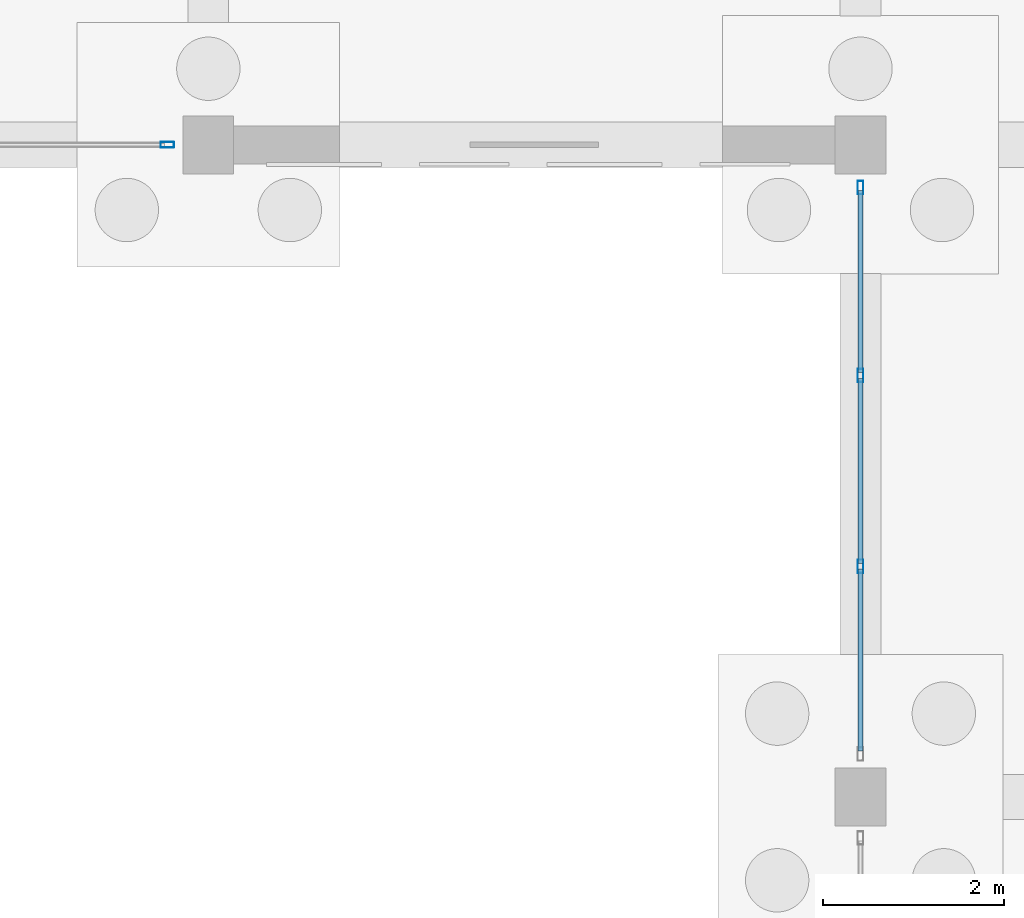
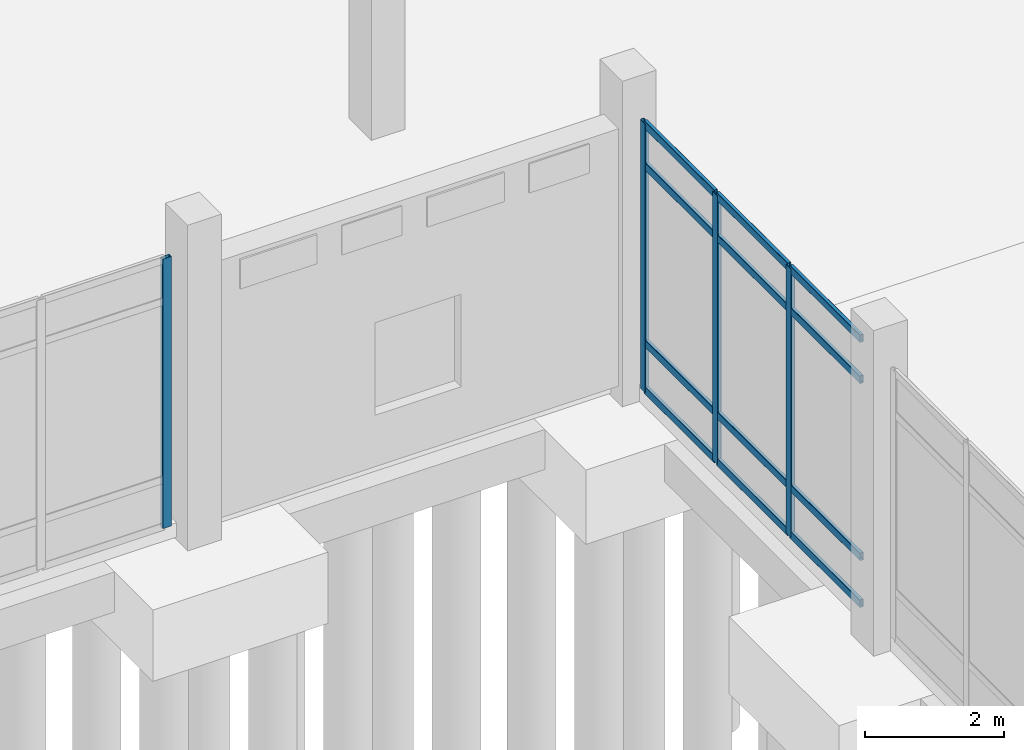
# One storey, part 66 of 109: 16 members, 2 elements without a shape of their own.
"""IFC4 building model written with IfcOpenShell, lengths in metres."""

import ifcopenshell
import ifcopenshell.guid

model = None  # the IFC model being written
_history = None  # IfcOwnerHistory: only IFC2X3 demands one
_inside = {}  # id of a spatial element -> (the spatial element, [elements in it])
_under = {}  # id of a project, library or spatial element -> (it, [spatial elements below it])
_declared = {}  # id of a project -> (the project, [libraries it declares])
_typed = {}  # id of a type object -> (the type object, [elements of that type])
_made_of = {}  # id of a material, layer set ... -> (it, [elements and type objects made of it])


def new_model(schema):
    """Start an empty IFC model of exactly this schema.

    Asked for "IFC4X3", IfcOpenShell would pick the latest addendum, in which some entities
    have other attributes; the version numbers below select the first issue.
    IFC2X3 requires an IfcOwnerHistory on every rooted entity: one is made here for all.
    """
    global model, _history
    if schema == "IFC4X3":
        model = ifcopenshell.file(schema_version=(4, 3, 0, 0))
    else:
        model = ifcopenshell.file(schema=schema)
    _inside.clear()
    _under.clear()
    _declared.clear()
    _typed.clear()
    _made_of.clear()
    _history = None
    if model.schema == "IFC2X3":
        org = make("IfcOrganization", Name="unknown")
        user = make(
            "IfcPersonAndOrganization",
            ThePerson=make("IfcPerson", FamilyName="unknown"),
            TheOrganization=org,
        )
        app = make(
            "IfcApplication",
            ApplicationDeveloper=org,
            Version="unknown",
            ApplicationFullName="unknown",
            ApplicationIdentifier="unknown",
        )
        _history = make(
            "IfcOwnerHistory",
            OwningUser=user,
            OwningApplication=app,
            ChangeAction="ADDED",
            CreationDate=0,
        )
    return model


def make(cls, **values):
    """One entity of the class cls with the attributes given. An attribute that is None is left unset."""
    return model.create_entity(
        cls, **{name: value for name, value in values.items() if value is not None}
    )


def rooted(cls, **values):
    """An entity with a GlobalId (a new one), such as an element, a storey or a relation."""
    return make(cls, GlobalId=ifcopenshell.guid.new(), OwnerHistory=_history, **values)


def si_unit(unit_type, name, prefix=None):
    """IfcSIUnit, for example si_unit("LENGTHUNIT", "METRE", prefix="MILLI")."""
    return make("IfcSIUnit", UnitType=unit_type, Prefix=prefix, Name=name)


def assignment(units):
    """IfcUnitAssignment: the units of a project."""
    return None if units is None else make("IfcUnitAssignment", Units=units)


def point(xyz):
    """IfcCartesianPoint."""
    return None if xyz is None else make("IfcCartesianPoint", Coordinates=xyz)


def direction(xyz):
    """IfcDirection."""
    return None if xyz is None else make("IfcDirection", DirectionRatios=xyz)


def frame(location, z_axis=None, x_axis=None):
    """IfcAxis2Placement3D, a coordinate frame: its origin and axes. An axis left out is left unset."""
    return make(
        "IfcAxis2Placement3D",
        Location=point(location),
        Axis=direction(z_axis),
        RefDirection=direction(x_axis),
    )


def frame_2d(location, x_axis=None):
    """IfcAxis2Placement2D, a coordinate frame in the plane: its origin and x axis."""
    return make(
        "IfcAxis2Placement2D", Location=point(location), RefDirection=direction(x_axis)
    )


def origin():
    """The frame at (0, 0, 0) with its axes left unset."""
    return frame((0.0, 0.0, 0.0))


def origin_2d():
    """The frame at (0, 0) in the plane with its x axis left unset."""
    return frame_2d((0.0, 0.0))


def place(relative_to, where):
    """IfcLocalPlacement: puts the frame where relative to a parent placement (None: the world)."""
    return make(
        "IfcLocalPlacement", PlacementRelTo=relative_to, RelativePlacement=where
    )


def context(
    kind, dimensions, precision=None, world=None, true_north=None, identifier=None
):
    """IfcGeometricRepresentationContext, for example the 3D "Model" context."""
    return make(
        "IfcGeometricRepresentationContext",
        ContextIdentifier=identifier,
        ContextType=kind,
        CoordinateSpaceDimension=dimensions,
        Precision=precision,
        WorldCoordinateSystem=world,
        TrueNorth=true_north,
    )


def subcontext(parent, identifier, kind, view, scale=None):
    """IfcGeometricRepresentationSubContext, for example "Body" below "Model"."""
    return make(
        "IfcGeometricRepresentationSubContext",
        ContextIdentifier=identifier,
        ContextType=kind,
        ParentContext=parent,
        TargetScale=scale,
        TargetView=view,
    )


def project(units=None, contexts=None):
    """IfcProject with its units and contexts."""
    return rooted(
        "IfcProject",
        Name="project",
        RepresentationContexts=contexts,
        UnitsInContext=assignment(units),
    )


def spatial(cls, under=None, at=None, **own):
    """A site, building, storey or space (cls), placed at a placement, below another one or the project."""
    s = rooted(cls, ObjectPlacement=at, **own)
    if under is not None:
        _under.setdefault(under.id(), (under, []))[1].append(s)
    return s


def profile(cls, at=None, kind="AREA", **sizes):
    """A parametric profile (cls). Its sizes go by their IFC names, for example OverallWidth=200.0."""
    return make(cls, ProfileType=kind, Position=at, **sizes)


def hollow_rectangle(**sizes):
    """IfcRectangleHollowProfileDef."""
    return profile("IfcRectangleHollowProfileDef", **sizes)


def extrude(swept, where, along, depth):
    """IfcExtrudedAreaSolid: the profile swept, set in the frame where, extruded along a direction by depth."""
    return make(
        "IfcExtrudedAreaSolid",
        SweptArea=swept,
        Position=where,
        ExtrudedDirection=direction(along),
        Depth=depth,
    )


def shape(context_of_items, identifier, shape_type, items):
    """IfcShapeRepresentation: the items that make up one representation, for example the "Body"."""
    return make(
        "IfcShapeRepresentation",
        ContextOfItems=context_of_items,
        RepresentationIdentifier=identifier,
        RepresentationType=shape_type,
        Items=items,
    )


def material(Name=None, Category=None):
    """IfcMaterial."""
    return make("IfcMaterial", Name=Name, Category=Category)


def material_profile(
    of_material, cross_section, Name=None, Category=None, Priority=None
):
    """IfcMaterialProfile: a cross section and its material."""
    return make(
        "IfcMaterialProfile",
        Name=Name,
        Material=of_material,
        Profile=cross_section,
        Priority=Priority,
        Category=Category,
    )


def profile_set(profiles, Name=None, composite=None):
    """IfcMaterialProfileSet."""
    return make(
        "IfcMaterialProfileSet",
        Name=Name,
        MaterialProfiles=profiles,
        CompositeProfile=composite,
    )


def made_of(thing, what):
    """Note that an element or type object is made of a material, layer set ...; save() writes the relation."""
    if what is not None:
        _made_of.setdefault(what.id(), (what, []))[1].append(thing)
    return thing


def type_object(cls, material=None, **own):
    """A type object (cls), such as IfcWallType, which elements share."""
    return made_of(rooted(cls, **own), material)


def element(
    cls,
    number,
    at=None,
    inside=None,
    cuts=None,
    type_object=None,
    material=None,
    context=None,
    identifier="Body",
    shape_type=None,
    held_by="IfcProductDefinitionShape",
    body=None,
    shapes=None,
    **own,
):
    """One element of the class cls, such as IfcWall. Its Tag is "e" and its number.

    at: its placement. inside: the storey or other place that contains it. cuts: it is an
    opening in that element (IfcRelVoidsElement). A single representation is given by context,
    identifier, shape_type and body (its items); several are given by shapes. held_by: the class
    of the entity that holds the representations. save() writes the other relations.
    """
    e = rooted(cls, Tag="e%d" % number, ObjectPlacement=at, **own)
    if body is not None:
        shapes = [shape(context, identifier, shape_type, body)]
    if shapes is not None:
        e.Representation = make(held_by, Representations=shapes)
    if inside is not None:
        _inside.setdefault(inside.id(), (inside, []))[1].append(e)
    if cuts is not None:
        rooted(
            "IfcRelVoidsElement", RelatingBuildingElement=cuts, RelatedOpeningElement=e
        )
    if type_object is not None:
        _typed.setdefault(type_object.id(), (type_object, []))[1].append(e)
    return made_of(e, material)


def aggregate(whole, parts):
    """IfcRelAggregates: a whole, such as a stair, and the parts it consists of."""
    return rooted("IfcRelAggregates", RelatingObject=whole, RelatedObjects=parts)


def save(model, path):
    """Write the relations noted so far, then the file.

    IfcRelAggregates (storeys below a building ...), IfcRelContainedInSpatialStructure (elements
    in a storey), IfcRelDefinesByType, IfcRelAssociatesMaterial and IfcRelDeclares: one each for
    every whole, place, type object, material and project.
    """
    for whole, parts in _under.values():
        aggregate(whole, parts)
    for where, things in _inside.values():
        rooted(
            "IfcRelContainedInSpatialStructure",
            RelatedElements=things,
            RelatingStructure=where,
        )
    for kind, things in _typed.values():
        rooted("IfcRelDefinesByType", RelatedObjects=things, RelatingType=kind)
    for what, things in _made_of.values():
        rooted("IfcRelAssociatesMaterial", RelatedObjects=things, RelatingMaterial=what)
    for by, libraries in _declared.values():
        rooted("IfcRelDeclares", RelatingContext=by, RelatedDefinitions=libraries)
    model.write(path)


model = new_model("IFC4")

# Units and contexts
model_context = context("Model", 3, precision=1e-05, world=origin(), true_north=direction((0.0, 1.0)))
body_context = subcontext(model_context, "Body", "Model", "MODEL_VIEW")
ifc_project = project(units=[si_unit("LENGTHUNIT", "METRE"), si_unit("AREAUNIT", "SQUARE_METRE"), si_unit("VOLUMEUNIT", "CUBIC_METRE"), si_unit("PLANEANGLEUNIT", "RADIAN"), si_unit("MASSUNIT", "GRAM", prefix="KILO")], contexts=[model_context])

# Site, building, storey
site_placement = place(None, origin())
site = spatial("IfcSite", under=ifc_project, at=site_placement, CompositionType="ELEMENT")
building_placement = place(site_placement, origin())
building = spatial("IfcBuilding", under=site, at=building_placement, Name="Lusvemor Sports Hall", CompositionType="ELEMENT")
storey_placement = place(building_placement, origin())
storey = spatial("IfcBuildingStorey", under=building, at=storey_placement, Name="L00", CompositionType="ELEMENT", Elevation=0.0)

# Curtain wall, member
ifc_material_1 = material(Name="Thermally broken bronze-anodized aluminium", Category="aluminium")
curtain_wall_type_1 = type_object("IfcCurtainWallType", Name="CW_WING_B", PredefinedType="NOTDEFINED", material=ifc_material_1)
curtain_wall_1_placement = place(storey_placement, origin())
curtain_wall_1 = element("IfcCurtainWall", 1, at=curtain_wall_1_placement, inside=storey, type_object=curtain_wall_type_1, Name="Curtain Wall CW-L00-S-5-0", PredefinedType="NOTDEFINED")
ifc_material_2 = material(Name="Thermally broken bronze-anodized aluminium", Category="aluminium")
ifc_material_profile_1 = material_profile(ifc_material_2, hollow_rectangle(XDim=0.06494140625, YDim=0.14990234375, WallThickness=0.00390625, InnerFilletRadius=0.00390625, OuterFilletRadius=0.008056640625, at=origin_2d()), Name="CWMUL150x65x4")
ifc_profile_set_1 = profile_set([ifc_material_profile_1], Name="Thermally broken bronze-anodized aluminium")
member_type_1 = type_object("IfcMemberType", Name="CW_MUL_B", PredefinedType="MULLION", material=ifc_profile_set_1)
member_1_placement = place(storey_placement, frame((125.547607421875, 82.800048828125, 0.0), z_axis=(0.0, 0.0, 1.0), x_axis=(0.0, -1.0, 0.0)))
member_1 = element("IfcMember", 2, at=member_1_placement, type_object=member_type_1, Name="CW02 mullion 1", PredefinedType="MULLION", context=body_context, shape_type="SweptSolid", body=[
    extrude(hollow_rectangle(XDim=0.06494140625, YDim=0.14990234375, WallThickness=0.00390625, InnerFilletRadius=0.00390625, OuterFilletRadius=0.008056640625, at=origin_2d()), origin(), (0.0, 0.0, 1.0), 4.719970703125),
])
aggregate(curtain_wall_1, [member_1])

# Curtain wall, members
ifc_material_3 = material(Name="Thermally broken bronze-anodized aluminium", Category="aluminium")
curtain_wall_type_2 = type_object("IfcCurtainWallType", Name="CW_PASSAGE_E", PredefinedType="NOTDEFINED", material=ifc_material_3)
curtain_wall_2_placement = place(storey_placement, origin())
curtain_wall_2 = element("IfcCurtainWall", 3, at=curtain_wall_2_placement, inside=storey, type_object=curtain_wall_type_2, Name="Curtain Wall CW-NLINK-133-L00", PredefinedType="NOTDEFINED")
member_2_placement = place(storey_placement, frame((133.199951171875, 78.146728515625, 0.0), z_axis=(0.0, 0.0, 1.0), x_axis=(-1.0, 0.0, 0.0)))
member_2 = element("IfcMember", 4, at=member_2_placement, type_object=member_type_1, Name="CW05 mullion 2", PredefinedType="MULLION", context=body_context, shape_type="SweptSolid", body=[
    extrude(hollow_rectangle(XDim=0.06494140625, YDim=0.14990234375, WallThickness=0.00390625, InnerFilletRadius=0.00390625, OuterFilletRadius=0.008056640625, at=origin_2d()), origin(), (0.0, 0.0, 1.0), 4.699951171875),
])
member_3_placement = place(storey_placement, frame((133.199951171875, 80.25341796875, 0.0), z_axis=(0.0, 0.0, 1.0), x_axis=(-1.0, 0.0, 0.0)))
member_3 = element("IfcMember", 5, at=member_3_placement, type_object=member_type_1, Name="CW05 mullion 3", PredefinedType="MULLION", context=body_context, shape_type="SweptSolid", body=[
    extrude(hollow_rectangle(XDim=0.06494140625, YDim=0.14990234375, WallThickness=0.00390625, InnerFilletRadius=0.00390625, OuterFilletRadius=0.008056640625, at=origin_2d()), origin(), (0.0, 0.0, 1.0), 4.699951171875),
])
member_4_placement = place(storey_placement, frame((133.199951171875, 82.327392578125, 0.0), z_axis=(0.0, 0.0, 1.0), x_axis=(-1.0, 0.0, 0.0)))
member_4 = element("IfcMember", 6, at=member_4_placement, type_object=member_type_1, Name="CW05 mullion 4", PredefinedType="MULLION", context=body_context, shape_type="SweptSolid", body=[
    extrude(hollow_rectangle(XDim=0.06494140625, YDim=0.14990234375, WallThickness=0.00390625, InnerFilletRadius=0.00390625, OuterFilletRadius=0.008056640625, at=origin_2d()), origin(), (0.0, 0.0, 1.0), 4.699951171875),
])
ifc_material_4 = material(Name="Thermally broken bronze-anodized aluminium", Category="aluminium")
ifc_material_profile_2 = material_profile(ifc_material_4, hollow_rectangle(XDim=0.06005859375, YDim=0.135009765625, WallThickness=0.00390625, InnerFilletRadius=0.00390625, OuterFilletRadius=0.008056640625, at=origin_2d()), Name="CWTRN135x60x4")
ifc_profile_set_2 = profile_set([ifc_material_profile_2], Name="Thermally broken bronze-anodized aluminium")
member_type_2 = type_object("IfcMemberType", Name="CW_TRN_B", PredefinedType="USERDEFINED", material=ifc_profile_set_2)
member_5_placement = place(storey_placement, frame((133.199951171875, 76.10498046875, 0.030029296875), z_axis=(0.0, 1.0, 0.0), x_axis=(-1.0, 0.0, 0.0)))
member_5 = element("IfcMember", 7, at=member_5_placement, type_object=member_type_2, Name="CW05 transom 1.1", ObjectType="TRANSOM", PredefinedType="USERDEFINED", context=body_context, shape_type="SweptSolid", body=[
    extrude(hollow_rectangle(XDim=0.06005859375, YDim=0.135009765625, WallThickness=0.00390625, InnerFilletRadius=0.00390625, OuterFilletRadius=0.008056640625, at=origin_2d()), origin(), (0.0, 0.0, 1.0), 2.00927734375),
])
member_6_placement = place(storey_placement, frame((133.199951171875, 76.10498046875, 0.85009765625), z_axis=(0.0, 1.0, 0.0), x_axis=(-1.0, 0.0, 0.0)))
member_6 = element("IfcMember", 8, at=member_6_placement, type_object=member_type_2, Name="CW05 transom 1.2", ObjectType="TRANSOM", PredefinedType="USERDEFINED", context=body_context, shape_type="SweptSolid", body=[
    extrude(hollow_rectangle(XDim=0.06005859375, YDim=0.135009765625, WallThickness=0.00390625, InnerFilletRadius=0.00390625, OuterFilletRadius=0.008056640625, at=origin_2d()), origin(), (0.0, 0.0, 1.0), 2.00927734375),
])
member_7_placement = place(storey_placement, frame((133.199951171875, 76.10498046875, 3.949951171875), z_axis=(0.0, 1.0, 0.0), x_axis=(-1.0, 0.0, 0.0)))
member_7 = element("IfcMember", 9, at=member_7_placement, type_object=member_type_2, Name="CW05 transom 1.3", ObjectType="TRANSOM", PredefinedType="USERDEFINED", context=body_context, shape_type="SweptSolid", body=[
    extrude(hollow_rectangle(XDim=0.06005859375, YDim=0.135009765625, WallThickness=0.00390625, InnerFilletRadius=0.00390625, OuterFilletRadius=0.008056640625, at=origin_2d()), origin(), (0.0, 0.0, 1.0), 2.00927734375),
])
member_8_placement = place(storey_placement, frame((133.199951171875, 76.10498046875, 4.669921875), z_axis=(0.0, 1.0, 0.0), x_axis=(-1.0, 0.0, 0.0)))
member_8 = element("IfcMember", 10, at=member_8_placement, type_object=member_type_2, Name="CW05 transom 1.4", ObjectType="TRANSOM", PredefinedType="USERDEFINED", context=body_context, shape_type="SweptSolid", body=[
    extrude(hollow_rectangle(XDim=0.06005859375, YDim=0.135009765625, WallThickness=0.00390625, InnerFilletRadius=0.00390625, OuterFilletRadius=0.008056640625, at=origin_2d()), origin(), (0.0, 0.0, 1.0), 2.00927734375),
])
member_9_placement = place(storey_placement, frame((133.199951171875, 78.17919921875, 0.030029296875), z_axis=(0.0, 1.0, 0.0), x_axis=(-1.0, 0.0, 0.0)))
member_9 = element("IfcMember", 11, at=member_9_placement, type_object=member_type_2, Name="CW05 transom 2.1", ObjectType="TRANSOM", PredefinedType="USERDEFINED", context=body_context, shape_type="SweptSolid", body=[
    extrude(hollow_rectangle(XDim=0.06005859375, YDim=0.135009765625, WallThickness=0.00390625, InnerFilletRadius=0.00390625, OuterFilletRadius=0.008056640625, at=origin_2d()), origin(), (0.0, 0.0, 1.0), 2.041748046875),
])
member_10_placement = place(storey_placement, frame((133.199951171875, 78.17919921875, 0.85009765625), z_axis=(0.0, 1.0, 0.0), x_axis=(-1.0, 0.0, 0.0)))
member_10 = element("IfcMember", 12, at=member_10_placement, type_object=member_type_2, Name="CW05 transom 2.2", ObjectType="TRANSOM", PredefinedType="USERDEFINED", context=body_context, shape_type="SweptSolid", body=[
    extrude(hollow_rectangle(XDim=0.06005859375, YDim=0.135009765625, WallThickness=0.00390625, InnerFilletRadius=0.00390625, OuterFilletRadius=0.008056640625, at=origin_2d()), origin(), (0.0, 0.0, 1.0), 2.041748046875),
])
member_11_placement = place(storey_placement, frame((133.199951171875, 78.17919921875, 3.949951171875), z_axis=(0.0, 1.0, 0.0), x_axis=(-1.0, 0.0, 0.0)))
member_11 = element("IfcMember", 13, at=member_11_placement, type_object=member_type_2, Name="CW05 transom 2.3", ObjectType="TRANSOM", PredefinedType="USERDEFINED", context=body_context, shape_type="SweptSolid", body=[
    extrude(hollow_rectangle(XDim=0.06005859375, YDim=0.135009765625, WallThickness=0.00390625, InnerFilletRadius=0.00390625, OuterFilletRadius=0.008056640625, at=origin_2d()), origin(), (0.0, 0.0, 1.0), 2.041748046875),
])
member_12_placement = place(storey_placement, frame((133.199951171875, 78.17919921875, 4.669921875), z_axis=(0.0, 1.0, 0.0), x_axis=(-1.0, 0.0, 0.0)))
member_12 = element("IfcMember", 14, at=member_12_placement, type_object=member_type_2, Name="CW05 transom 2.4", ObjectType="TRANSOM", PredefinedType="USERDEFINED", context=body_context, shape_type="SweptSolid", body=[
    extrude(hollow_rectangle(XDim=0.06005859375, YDim=0.135009765625, WallThickness=0.00390625, InnerFilletRadius=0.00390625, OuterFilletRadius=0.008056640625, at=origin_2d()), origin(), (0.0, 0.0, 1.0), 2.041748046875),
])
member_13_placement = place(storey_placement, frame((133.199951171875, 80.285888671875, 0.030029296875), z_axis=(0.0, 1.0, 0.0), x_axis=(-1.0, 0.0, 0.0)))
member_13 = element("IfcMember", 15, at=member_13_placement, type_object=member_type_2, Name="CW05 transom 3.1", ObjectType="TRANSOM", PredefinedType="USERDEFINED", context=body_context, shape_type="SweptSolid", body=[
    extrude(hollow_rectangle(XDim=0.06005859375, YDim=0.135009765625, WallThickness=0.00390625, InnerFilletRadius=0.00390625, OuterFilletRadius=0.008056640625, at=origin_2d()), origin(), (0.0, 0.0, 1.0), 2.009033203125),
])
member_14_placement = place(storey_placement, frame((133.199951171875, 80.285888671875, 0.85009765625), z_axis=(0.0, 1.0, 0.0), x_axis=(-1.0, 0.0, 0.0)))
member_14 = element("IfcMember", 16, at=member_14_placement, type_object=member_type_2, Name="CW05 transom 3.2", ObjectType="TRANSOM", PredefinedType="USERDEFINED", context=body_context, shape_type="SweptSolid", body=[
    extrude(hollow_rectangle(XDim=0.06005859375, YDim=0.135009765625, WallThickness=0.00390625, InnerFilletRadius=0.00390625, OuterFilletRadius=0.008056640625, at=origin_2d()), origin(), (0.0, 0.0, 1.0), 2.009033203125),
])
member_15_placement = place(storey_placement, frame((133.199951171875, 80.285888671875, 3.949951171875), z_axis=(0.0, 1.0, 0.0), x_axis=(-1.0, 0.0, 0.0)))
member_15 = element("IfcMember", 17, at=member_15_placement, type_object=member_type_2, Name="CW05 transom 3.3", ObjectType="TRANSOM", PredefinedType="USERDEFINED", context=body_context, shape_type="SweptSolid", body=[
    extrude(hollow_rectangle(XDim=0.06005859375, YDim=0.135009765625, WallThickness=0.00390625, InnerFilletRadius=0.00390625, OuterFilletRadius=0.008056640625, at=origin_2d()), origin(), (0.0, 0.0, 1.0), 2.009033203125),
])
member_16_placement = place(storey_placement, frame((133.199951171875, 80.285888671875, 4.669921875), z_axis=(0.0, 1.0, 0.0), x_axis=(-1.0, 0.0, 0.0)))
member_16 = element("IfcMember", 18, at=member_16_placement, type_object=member_type_2, Name="CW05 transom 3.4", ObjectType="TRANSOM", PredefinedType="USERDEFINED", context=body_context, shape_type="SweptSolid", body=[
    extrude(hollow_rectangle(XDim=0.06005859375, YDim=0.135009765625, WallThickness=0.00390625, InnerFilletRadius=0.00390625, OuterFilletRadius=0.008056640625, at=origin_2d()), origin(), (0.0, 0.0, 1.0), 2.009033203125),
])
aggregate(curtain_wall_2, [member_2, member_3, member_4, member_5, member_6, member_7, member_8, member_9, member_10, member_11, member_12, member_13, member_14, member_15, member_16])

save(model, "model.ifc")
